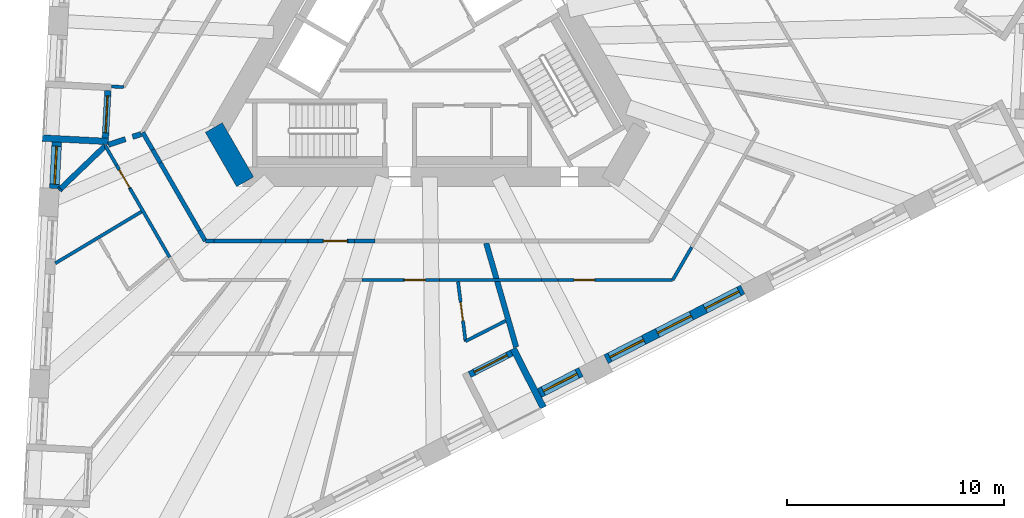
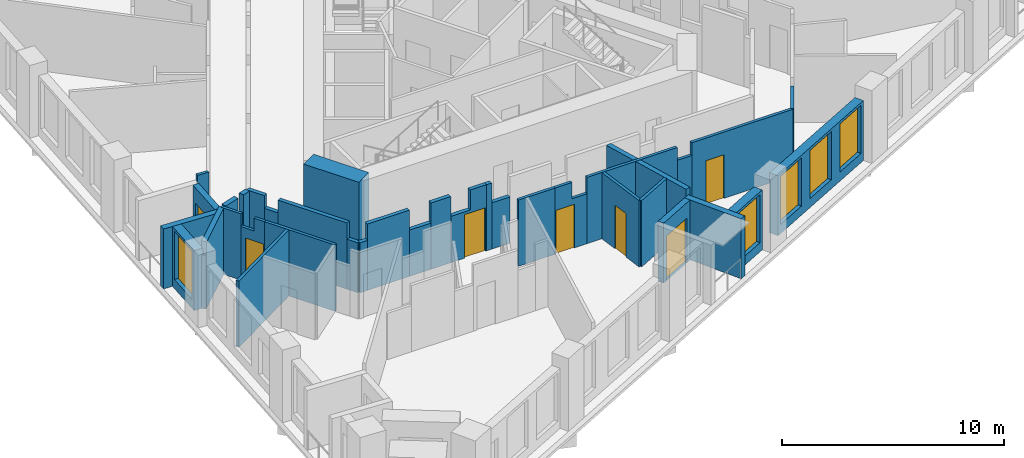
# One storey, part 3 of 13: 37 walls, 7 doors, 5 windows, 12 openings.
"""IFC4 building model written with IfcOpenShell, lengths in metres."""

from ifc_helpers import new_model, si_unit, direction, frame, frame_2d, origin, place, context, subcontext, project, spatial, polyline, rectangle, outline, extrude, material, layer, layer_set, type_object, element, fill, save


model = new_model("IFC4")

# Units and contexts
model_context = context("Model", 3, precision=1e-05, world=origin(), true_north=direction((0.0, 1.0)))
body_context = subcontext(model_context, "Body", "Model", "MODEL_VIEW")
ifc_project = project(units=[si_unit("LENGTHUNIT", "METRE"), si_unit("AREAUNIT", "SQUARE_METRE"), si_unit("VOLUMEUNIT", "CUBIC_METRE"), si_unit("PLANEANGLEUNIT", "RADIAN"), si_unit("MASSUNIT", "GRAM", prefix="KILO")], contexts=[model_context])

# Site, building, storey
site_placement = place(None, origin())
site = spatial("IfcSite", under=ifc_project, at=site_placement, CompositionType="ELEMENT")
building_placement = place(site_placement, origin())
building = spatial("IfcBuilding", under=site, at=building_placement, Name="Tramontana Tower", CompositionType="ELEMENT")
storey_placement = place(building_placement, frame((0.0, 0.0, 137.60009765625)))
storey = spatial("IfcBuildingStorey", under=building, at=storey_placement, Name="L31", CompositionType="ELEMENT", Elevation=137.60009765625)

# Walls
ifc_material_1 = material(Name="Concrete 70 MPa", Category="concrete")
ifc_layer_1 = layer(ifc_material_1, 0.89990234375)
ifc_layer_set_1 = layer_set([ifc_layer_1], Name="Core wall 900 70 MPa")
wall_type_1 = type_object("IfcWallType", Name="Core wall 900 70 MPa", PredefinedType="SHEAR", material=ifc_layer_set_1)
wall_1_placement = place(storey_placement, frame((-9.8583984375, -4.02490234375, 0.0), z_axis=(0.0, 0.0, 1.0), x_axis=(0.500059191753, -0.865991226713, 0.0)))
element("IfcWall", 1, at=wall_1_placement, inside=storey, type_object=wall_type_1, Name="Core wall C2 L31", PredefinedType="SHEAR", context=body_context, shape_type="SweptSolid", body=[
    extrude(rectangle(XDim=2.886962890625, YDim=0.89990234375, at=frame_2d((1.443359375, 0.0))), origin(), (0.0, 0.0, 1.0), 4.0),
])
ifc_material_2 = material(Name="Blockwork", Category="masonry")
ifc_layer_2 = layer(ifc_material_2, 0.199951171875)
ifc_layer_set_2 = layer_set([ifc_layer_2], Name="ENTRY WALL 200")
wall_type_2 = type_object("IfcWallType", Name="ENTRY WALL 200", PredefinedType="SOLIDWALL", material=ifc_layer_set_2)
wall_2_placement = place(storey_placement, frame((-2.441162109375, -9.25, 0.0), z_axis=(0.0, 0.0, 1.0), x_axis=(-1.0, 0.0, 0.0)))
element("IfcWall", 2, at=wall_2_placement, inside=storey, type_object=wall_type_2, Name="Wall v31-ew2-5", PredefinedType="SOLIDWALL", context=body_context, shape_type="SweptSolid", body=[
    extrude(rectangle(XDim=0.943603515625, YDim=0.199951171875, at=frame_2d((0.4716796875, 0.0))), origin(), (0.0, 0.0, 1.0), 2.5498046875),
])
wall_3_placement = place(storey_placement, frame((-3.384765625, -9.25, 0.0), z_axis=(0.0, 0.0, 1.0), x_axis=(-1.0, 0.0, 0.0)))
element("IfcWall", 3, at=wall_3_placement, inside=storey, type_object=wall_type_2, Name="Wall v31-ew2-6", PredefinedType="SOLIDWALL", context=body_context, shape_type="SweptSolid", body=[
    extrude(rectangle(XDim=0.280517578125, YDim=0.199951171875, at=frame_2d((0.14013671875, 0.0))), origin(), (0.0, 0.0, 1.0), 3.64990234375),
])

# Wall, opening, door
wall_4_placement = place(storey_placement, frame((-3.665283203125, -9.25, 0.0), z_axis=(0.0, 0.0, 1.0), x_axis=(-1.0, 0.0, 0.0)))
wall_4 = element("IfcWall", 4, at=wall_4_placement, inside=storey, type_object=wall_type_2, Name="Wall v31-ew2-7", PredefinedType="SOLIDWALL", context=body_context, shape_type="SweptSolid", body=[
    extrude(outline(polyline([(0.0, 0.0), (1.85693359375, 0.0), (1.85693359375, 2.5498046875), (0.833251953125, 2.5498046875), (0.833251953125, 3.64990234375), (0.0, 3.64990234375), (0.0, 0.0)])), frame((0.0, 0.10009765625, 0.0), z_axis=(0.0, -1.0, 0.0), x_axis=(1.0, 0.0, 0.0)), (0.0, 0.0, 1.0), 0.199951171875),
])
opening_1_placement = place(wall_4_placement, frame((0.050048828125, 0.0, 0.0)))
opening_1 = element("IfcOpeningElement", 5, at=opening_1_placement, cuts=wall_4, Name="Opening B3B-27", PredefinedType="OPENING", context=body_context, shape_type="SweptSolid", body=[
    extrude(rectangle(XDim=1.10009765625, YDim=2.39990234375, at=frame_2d((0.550048828125, 1.199951171875))), frame((0.0, 0.10986328125, 0.0), z_axis=(0.0, -1.0, 0.0), x_axis=(1.0, 0.0, 0.0)), (0.0, 0.0, 1.0), 0.219970703125),
])
ifc_material_3 = material(Name="Painted timber", Category="wood")
door_type_1 = type_object("IfcDoorType", Name="DOOR ENTRY 1100", OperationType="SINGLE_SWING_LEFT", PredefinedType="DOOR", material=ifc_material_3)
door_1_placement = place(opening_1_placement, origin())
door_1 = element("IfcDoor", 6, at=door_1_placement, inside=storey, type_object=door_type_1, Name="Door B3B-27", OperationType="SINGLE_SWING_LEFT", OverallHeight=2.39990234375, OverallWidth=1.10009765625, PredefinedType="DOOR", context=body_context, shape_type="SweptSolid", body=[
    extrude(rectangle(XDim=1.10009765625, YDim=2.39990234375, at=frame_2d((0.550048828125, 1.199951171875))), frame((0.0, 0.02490234375, 0.0), z_axis=(0.0, -1.0, 0.0), x_axis=(1.0, 0.0, 0.0)), (0.0, 0.0, 1.0), 0.050048828125),
])
fill(opening_1, door_1)

# Walls
wall_5_placement = place(storey_placement, frame((-5.522216796875, -9.25, 0.0), z_axis=(0.0, 0.0, 1.0), x_axis=(-1.0, 0.0, 0.0)))
element("IfcWall", 7, at=wall_5_placement, inside=storey, type_object=wall_type_2, Name="Wall v31-ew2-8", PredefinedType="SOLIDWALL", context=body_context, shape_type="SweptSolid", body=[
    extrude(rectangle(XDim=1.0224609375, YDim=0.199951171875, at=frame_2d((0.51123046875, 0.0))), origin(), (0.0, 0.0, 1.0), 3.64990234375),
])
wall_6_placement = place(storey_placement, frame((-6.544677734375, -9.25, 0.0), z_axis=(0.0, 0.0, 1.0), x_axis=(-1.0, 0.0, 0.0)))
element("IfcWall", 8, at=wall_6_placement, inside=storey, type_object=wall_type_2, Name="Wall v31-ew2-9", PredefinedType="SOLIDWALL", context=body_context, shape_type="SweptSolid", body=[
    extrude(rectangle(XDim=1.13525390625, YDim=0.199951171875, at=frame_2d((0.567626953125, 0.0))), origin(), (0.0, 0.0, 1.0), 2.5498046875),
])
wall_7_placement = place(storey_placement, frame((-7.679931640625, -9.25, 0.0), z_axis=(0.0, 0.0, 1.0), x_axis=(-1.0, 0.0, 0.0)))
element("IfcWall", 9, at=wall_7_placement, inside=storey, type_object=wall_type_2, Name="Wall v31-ew2-10", PredefinedType="SOLIDWALL", context=body_context, shape_type="SweptSolid", body=[
    extrude(rectangle(XDim=2.1787109375, YDim=0.199951171875, at=frame_2d((1.08935546875, 0.0))), origin(), (0.0, 0.0, 1.0), 3.64990234375),
])
wall_8_placement = place(storey_placement, frame((-9.858642578125, -9.25, 0.0), z_axis=(0.0, 0.0, 1.0), x_axis=(-1.0, 0.0, 0.0)))
element("IfcWall", 10, at=wall_8_placement, inside=storey, type_object=wall_type_2, Name="Wall v31-ew2-11", PredefinedType="SOLIDWALL", context=body_context, shape_type="SweptSolid", body=[
    extrude(rectangle(XDim=0.389404296875, YDim=0.199951171875, at=frame_2d((0.19482421875, 0.0))), origin(), (0.0, 0.0, 1.0), 2.75),
])
wall_9_placement = place(storey_placement, frame((-10.248046875, -9.25, 0.0), z_axis=(0.0, 0.0, 1.0), x_axis=(-0.499887958344, 0.866090081402, 0.0)))
element("IfcWall", 11, at=wall_9_placement, inside=storey, type_object=wall_type_2, Name="Wall v31-ew3-0", PredefinedType="SOLIDWALL", context=body_context, shape_type="SweptSolid", body=[
    extrude(rectangle(XDim=0.553466796875, YDim=0.199951171875, at=frame_2d((0.27685546875, 0.0))), origin(), (0.0, 0.0, 1.0), 2.75),
])
wall_10_placement = place(storey_placement, frame((-10.524658203125, -8.770751953125, 0.0), z_axis=(0.0, 0.0, 1.0), x_axis=(-0.500031425827, 0.866007259314, 0.0)))
element("IfcWall", 12, at=wall_10_placement, inside=storey, type_object=wall_type_2, Name="Wall v31-ew3-1", PredefinedType="SOLIDWALL", context=body_context, shape_type="SweptSolid", body=[
    extrude(rectangle(XDim=3.602294921875, YDim=0.199951171875, at=frame_2d((1.80126953125, 0.0))), origin(), (0.0, 0.0, 1.0), 3.64990234375),
])
wall_11_placement = place(storey_placement, frame((-12.325927734375, -5.651123046875, 0.0), z_axis=(0.0, 0.0, 1.0), x_axis=(-0.499752435038, 0.86616828831, 0.0)))
element("IfcWall", 13, at=wall_11_placement, inside=storey, type_object=wall_type_2, Name="Wall v31-ew3-2", PredefinedType="SOLIDWALL", context=body_context, shape_type="SweptSolid", body=[
    extrude(rectangle(XDim=0.704833984375, YDim=0.199951171875, at=frame_2d((0.3525390625, 0.0))), origin(), (0.0, 0.0, 1.0), 2.949951171875),
])
wall_12_placement = place(storey_placement, frame((-12.67822265625, -5.04052734375, 0.0), z_axis=(0.0, 0.0, 1.0), x_axis=(-0.500108273885, 0.865962882802, 0.0)))
element("IfcWall", 14, at=wall_12_placement, inside=storey, type_object=wall_type_2, Name="Wall v31-ew3-3", PredefinedType="SOLIDWALL", context=body_context, shape_type="SweptSolid", body=[
    extrude(rectangle(XDim=0.912841796875, YDim=0.199951171875, at=frame_2d((0.45654296875, 0.0))), origin(), (0.0, 0.0, 1.0), 3.64990234375),
])

# Wall, opening, window
ifc_material_4 = material(Name="Precast concrete 60 MPa", Category="concrete")
ifc_layer_3 = layer(ifc_material_4, 0.449951171875)
ifc_layer_set_3 = layer_set([ifc_layer_3], Name="Precast concrete 60 MPa, 450 mm")
wall_type_3 = type_object("IfcWallType", Name="EW1 Stone-faced precast wall 450", PredefinedType="SOLIDWALL", material=ifc_layer_set_3)
wall_13_placement = place(storey_placement, frame((-17.093994140625, -4.69287109375, 0.0), z_axis=(0.0, 0.0, 1.0), x_axis=(-0.052355281723, -0.998628521762, 0.0)))
wall_13 = element("IfcWall", 15, at=wall_13_placement, inside=storey, type_object=wall_type_3, Name="External wall L31 face 0 bay 4", PredefinedType="SOLIDWALL", context=body_context, shape_type="SweptSolid", body=[
    extrude(rectangle(XDim=2.140380859375, YDim=0.449951171875, at=frame_2d((1.0703125, 0.0))), origin(), (0.0, 0.0, 1.0), 3.2998046875),
])
opening_2_placement = place(wall_13_placement, frame((0.1953125, 0.0, 0.5)))
opening_2 = element("IfcOpeningElement", 16, at=opening_2_placement, cuts=wall_13, Name="Opening M2", PredefinedType="OPENING", context=body_context, shape_type="SweptSolid", body=[
    extrude(rectangle(XDim=1.75, YDim=2.64990234375, at=frame_2d((0.875, 1.324951171875))), frame((0.0, 0.23486328125, 0.0), z_axis=(0.0, -1.0, 0.0), x_axis=(1.0, 0.0, 0.0)), (0.0, 0.0, 1.0), 0.469970703125),
])
ifc_material_5 = material(Name="Aluminum frame, double glazing unit", Category="aluminium")
window_type = type_object("IfcWindowType", Name="M2 Window 1.75 x 2.65", PartitioningType="SINGLE_PANEL", PredefinedType="WINDOW", material=ifc_material_5)
window_1_placement = place(opening_2_placement, origin())
window_1 = element("IfcWindow", 17, at=window_1_placement, inside=storey, type_object=window_type, Name="Window M2 L31 face 0 module 12", OverallHeight=2.64990234375, OverallWidth=1.75, PartitioningType="SINGLE_PANEL", PredefinedType="WINDOW", context=body_context, shape_type="SweptSolid", body=[
    extrude(rectangle(XDim=1.75, YDim=2.64990234375, at=frame_2d((0.875, 1.324951171875))), frame((0.0, 0.030029296875, 0.0), z_axis=(0.0, -1.0, 0.0), x_axis=(1.0, 0.0, 0.0)), (0.0, 0.0, 1.0), 0.06005859375),
])
fill(opening_2, window_1)

wall_14_placement = place(storey_placement, frame((5.152099609375, -16.258056640625, 0.0), z_axis=(0.0, 0.0, 1.0), x_axis=(0.891025569559, 0.453953119156, 0.0)))
wall_14 = element("IfcWall", 18, at=wall_14_placement, inside=storey, type_object=wall_type_3, Name="External wall L31 face 1 bay 3", PredefinedType="SOLIDWALL", context=body_context, shape_type="SweptSolid", body=[
    extrude(rectangle(XDim=2.140380859375, YDim=0.449951171875, at=frame_2d((1.0703125, 0.0))), origin(), (0.0, 0.0, 1.0), 3.2998046875),
])
opening_3_placement = place(wall_14_placement, frame((0.1953125, 0.0, 0.5)))
opening_3 = element("IfcOpeningElement", 19, at=opening_3_placement, cuts=wall_14, Name="Opening M2", PredefinedType="OPENING", context=body_context, shape_type="SweptSolid", body=[
    extrude(rectangle(XDim=1.75, YDim=2.64990234375, at=frame_2d((0.875, 1.324951171875))), frame((0.0, 0.23486328125, 0.0), z_axis=(0.0, -1.0, 0.0), x_axis=(1.0, 0.0, 0.0)), (0.0, 0.0, 1.0), 0.469970703125),
])
window_2_placement = place(opening_3_placement, origin())
window_2 = element("IfcWindow", 20, at=window_2_placement, inside=storey, type_object=window_type, Name="Window M2 L31 face 1 module 9", OverallHeight=2.64990234375, OverallWidth=1.75, PartitioningType="SINGLE_PANEL", PredefinedType="WINDOW", context=body_context, shape_type="SweptSolid", body=[
    extrude(rectangle(XDim=1.75, YDim=2.64990234375, at=frame_2d((0.875, 1.324951171875))), frame((0.0, 0.030029296875, 0.0), z_axis=(0.0, -1.0, 0.0), x_axis=(1.0, 0.0, 0.0)), (0.0, 0.0, 1.0), 0.06005859375),
])
fill(opening_3, window_2)

# Wall, openings, windows
wall_15_placement = place(storey_placement, frame((8.217529296875, -14.696044921875, 0.0), z_axis=(0.0, 0.0, 1.0), x_axis=(0.891004189171, 0.45399508244, 0.0)))
wall_15 = element("IfcWall", 21, at=wall_15_placement, inside=storey, type_object=wall_type_3, Name="External wall L31 face 1 bay 4", PredefinedType="SOLIDWALL", context=body_context, shape_type="SweptSolid", body=[
    extrude(rectangle(XDim=7.071533203125, YDim=0.449951171875, at=frame_2d((3.53564453125, 0.0))), origin(), (0.0, 0.0, 1.0), 3.2998046875),
])
opening_4_placement = place(wall_15_placement, frame((0.1953125, 0.0, 0.5)))
opening_4 = element("IfcOpeningElement", 22, at=opening_4_placement, cuts=wall_15, Name="Opening M2", PredefinedType="OPENING", context=body_context, shape_type="SweptSolid", body=[
    extrude(rectangle(XDim=1.75, YDim=2.64990234375, at=frame_2d((0.875, 1.324951171875))), frame((0.0, 0.23486328125, 0.0), z_axis=(0.0, -1.0, 0.0), x_axis=(1.0, 0.0, 0.0)), (0.0, 0.0, 1.0), 0.469970703125),
])
opening_5_placement = place(wall_15_placement, frame((2.660888671875, 0.0, 0.5)))
opening_5 = element("IfcOpeningElement", 23, at=opening_5_placement, cuts=wall_15, Name="Opening M2", PredefinedType="OPENING", context=body_context, shape_type="SweptSolid", body=[
    extrude(rectangle(XDim=1.75, YDim=2.64990234375, at=frame_2d((0.875, 1.324951171875))), frame((0.0, 0.23486328125, 0.0), z_axis=(0.0, -1.0, 0.0), x_axis=(1.0, 0.0, 0.0)), (0.0, 0.0, 1.0), 0.469970703125),
])
opening_6_placement = place(wall_15_placement, frame((5.126220703125, 0.0, 0.5)))
opening_6 = element("IfcOpeningElement", 24, at=opening_6_placement, cuts=wall_15, Name="Opening M2", PredefinedType="OPENING", context=body_context, shape_type="SweptSolid", body=[
    extrude(rectangle(XDim=1.75, YDim=2.64990234375, at=frame_2d((0.875, 1.324951171875))), frame((0.0, 0.23486328125, 0.0), z_axis=(0.0, -1.0, 0.0), x_axis=(1.0, 0.0, 0.0)), (0.0, 0.0, 1.0), 0.469970703125),
])
window_3_placement = place(opening_4_placement, origin())
window_3 = element("IfcWindow", 25, at=window_3_placement, inside=storey, type_object=window_type, Name="Window M2 L31 face 1 module 10", OverallHeight=2.64990234375, OverallWidth=1.75, PartitioningType="SINGLE_PANEL", PredefinedType="WINDOW", context=body_context, shape_type="SweptSolid", body=[
    extrude(rectangle(XDim=1.75, YDim=2.64990234375, at=frame_2d((0.875, 1.324951171875))), frame((0.0, 0.030029296875, 0.0), z_axis=(0.0, -1.0, 0.0), x_axis=(1.0, 0.0, 0.0)), (0.0, 0.0, 1.0), 0.06005859375),
])
fill(opening_4, window_3)
window_4_placement = place(opening_5_placement, origin())
window_4 = element("IfcWindow", 26, at=window_4_placement, inside=storey, type_object=window_type, Name="Window M2 L31 face 1 module 11", OverallHeight=2.64990234375, OverallWidth=1.75, PartitioningType="SINGLE_PANEL", PredefinedType="WINDOW", context=body_context, shape_type="SweptSolid", body=[
    extrude(rectangle(XDim=1.75, YDim=2.64990234375, at=frame_2d((0.875, 1.324951171875))), frame((0.0, 0.030029296875, 0.0), z_axis=(0.0, -1.0, 0.0), x_axis=(1.0, 0.0, 0.0)), (0.0, 0.0, 1.0), 0.06005859375),
])
fill(opening_5, window_4)
window_5_placement = place(opening_6_placement, origin())
window_5 = element("IfcWindow", 27, at=window_5_placement, inside=storey, type_object=window_type, Name="Window M2 L31 face 1 module 12", OverallHeight=2.64990234375, OverallWidth=1.75, PartitioningType="SINGLE_PANEL", PredefinedType="WINDOW", context=body_context, shape_type="SweptSolid", body=[
    extrude(rectangle(XDim=1.75, YDim=2.64990234375, at=frame_2d((0.875, 1.324951171875))), frame((0.0, 0.030029296875, 0.0), z_axis=(0.0, -1.0, 0.0), x_axis=(1.0, 0.0, 0.0)), (0.0, 0.0, 1.0), 0.06005859375),
])
fill(opening_6, window_5)

# Wall, opening, door
ifc_material_6 = material(Name="Precast concrete 60 MPa", Category="concrete")
ifc_layer_4 = layer(ifc_material_6, 0.300048828125)
ifc_layer_set_4 = layer_set([ifc_layer_4], Name="LW1 Stone-faced loggia wall 300")
wall_type_4 = type_object("IfcWallType", Name="LW1 Stone-faced loggia wall 300", PredefinedType="SOLIDWALL", material=ifc_layer_set_4)
wall_16_placement = place(storey_placement, frame((-14.74169921875, -2.322265625, 0.0), z_axis=(0.0, 0.0, 1.0), x_axis=(-0.052383338583, -0.998627050424, 0.0)))
wall_16 = element("IfcWall", 28, at=wall_16_placement, inside=storey, type_object=wall_type_4, Name="Loggia wall L31 G3S0.10", PredefinedType="SOLIDWALL", context=body_context, shape_type="SweptSolid", body=[
    extrude(rectangle(XDim=2.1904296875, YDim=0.300048828125, at=frame_2d((1.09521484375, 0.0))), origin(), (0.0, 0.0, 1.0), 3.2998046875),
])
opening_7_placement = place(wall_16_placement, frame((0.245361328125, 0.0, 0.0)))
opening_7 = element("IfcOpeningElement", 29, at=opening_7_placement, cuts=wall_16, Name="Opening BD-3S0-10", PredefinedType="OPENING", context=body_context, shape_type="SweptSolid", body=[
    extrude(rectangle(XDim=1.699951171875, YDim=2.449951171875, at=frame_2d((0.85009765625, 1.22509765625))), frame((0.0, 0.159912109375, 0.0), z_axis=(0.0, -1.0, 0.0), x_axis=(1.0, 0.0, 0.0)), (0.0, 0.0, 1.0), 0.320068359375),
])
ifc_material_7 = material(Name="Aluminum frame, double glazing unit", Category="aluminium")
door_type_2 = type_object("IfcDoorType", Name="BD2 Sliding door 1.7 x 2.45", OperationType="SLIDING_TO_LEFT", PredefinedType="DOOR", material=ifc_material_7)
door_2_placement = place(opening_7_placement, origin())
door_2 = element("IfcDoor", 30, at=door_2_placement, inside=storey, type_object=door_type_2, Name="Loggia door L31 G3S0.10", OperationType="SLIDING_TO_LEFT", OverallHeight=2.449951171875, OverallWidth=1.699951171875, PredefinedType="DOOR", context=body_context, shape_type="SweptSolid", body=[
    extrude(rectangle(XDim=1.699951171875, YDim=2.449951171875, at=frame_2d((0.85009765625, 1.22509765625))), frame((0.0, 0.02490234375, 0.0), z_axis=(0.0, -1.0, 0.0), x_axis=(1.0, 0.0, 0.0)), (0.0, 0.0, 1.0), 0.050048828125),
])
fill(opening_7, door_2)

# Wall
wall_17_placement = place(storey_placement, frame((-17.76025390625, -4.5078125, 0.0), z_axis=(0.0, 0.0, 1.0), x_axis=(0.998633044326, -0.052268946613, 0.0)))
element("IfcWall", 31, at=wall_17_placement, inside=storey, type_object=wall_type_4, Name="Loggia return L31 G3S0.10b", PredefinedType="SOLIDWALL", context=body_context, shape_type="SweptSolid", body=[
    extrude(rectangle(XDim=3.050048828125, YDim=0.300048828125, at=frame_2d((1.52490234375, 0.0))), origin(), (0.0, 0.0, 1.0), 3.2998046875),
])

# Wall, opening, door
wall_18_placement = place(storey_placement, frame((1.9228515625, -15.40625, 0.0), z_axis=(0.0, 0.0, 1.0), x_axis=(0.891013126725, 0.4539775413, 0.0)))
wall_18 = element("IfcWall", 32, at=wall_18_placement, inside=storey, type_object=wall_type_4, Name="Loggia wall L31 G3S1.7", PredefinedType="SOLIDWALL", context=body_context, shape_type="SweptSolid", body=[
    extrude(rectangle(XDim=2.1904296875, YDim=0.300048828125, at=frame_2d((1.09521484375, 0.0))), origin(), (0.0, 0.0, 1.0), 3.2998046875),
])
opening_8_placement = place(wall_18_placement, frame((0.245361328125, 0.0, 0.0)))
opening_8 = element("IfcOpeningElement", 33, at=opening_8_placement, cuts=wall_18, Name="Opening BD-3S1-07", PredefinedType="OPENING", context=body_context, shape_type="SweptSolid", body=[
    extrude(rectangle(XDim=1.699951171875, YDim=2.449951171875, at=frame_2d((0.85009765625, 1.22509765625))), frame((0.0, 0.159912109375, 0.0), z_axis=(0.0, -1.0, 0.0), x_axis=(1.0, 0.0, 0.0)), (0.0, 0.0, 1.0), 0.320068359375),
])
door_3_placement = place(opening_8_placement, origin())
door_3 = element("IfcDoor", 34, at=door_3_placement, inside=storey, type_object=door_type_2, Name="Loggia door L31 G3S1.7", OperationType="SLIDING_TO_LEFT", OverallHeight=2.449951171875, OverallWidth=1.699951171875, PredefinedType="DOOR", context=body_context, shape_type="SweptSolid", body=[
    extrude(rectangle(XDim=1.699951171875, YDim=2.449951171875, at=frame_2d((0.85009765625, 1.22509765625))), frame((0.0, 0.02490234375, 0.0), z_axis=(0.0, -1.0, 0.0), x_axis=(1.0, 0.0, 0.0)), (0.0, 0.0, 1.0), 0.050048828125),
])
fill(opening_8, door_3)

# Walls
wall_19_placement = place(storey_placement, frame((5.32470703125, -16.927490234375, 0.0), z_axis=(0.0, 0.0, 1.0), x_axis=(-0.453956959009, 0.891023613249, 0.0)))
element("IfcWall", 35, at=wall_19_placement, inside=storey, type_object=wall_type_4, Name="Loggia return L31 G3S1.7b", PredefinedType="SOLIDWALL", context=body_context, shape_type="SweptSolid", body=[
    extrude(rectangle(XDim=3.0498046875, YDim=0.300048828125, at=frame_2d((1.52490234375, 0.0))), origin(), (0.0, 0.0, 1.0), 3.2998046875),
])
ifc_material_8 = material(Name="Gypsum board partition")
ifc_layer_5 = layer(ifc_material_8, 0.14990234375)
ifc_layer_set_5 = layer_set([ifc_layer_5], Name="PARTITION 150")
wall_type_5 = type_object("IfcWallType", Name="PARTITION 150", PredefinedType="PARTITIONING", material=ifc_layer_set_5)
wall_20_placement = place(storey_placement, frame((-17.161376953125, -10.278076171875, 0.0), z_axis=(0.0, 0.0, 1.0), x_axis=(0.857883773594, 0.513843780739, 0.0)))
element("IfcWall", 36, at=wall_20_placement, inside=storey, type_object=wall_type_5, Name="Wall v31-pw00", PredefinedType="PARTITIONING", context=body_context, shape_type="SweptSolid", body=[
    extrude(rectangle(XDim=4.626708984375, YDim=0.14990234375, at=frame_2d((2.3134765625, 0.0))), origin(), (0.0, 0.0, 1.0), 3.64990234375),
])
wall_21_placement = place(storey_placement, frame((-14.581298828125, -2.13037109375, 0.0), z_axis=(0.0, 0.0, 1.0), x_axis=(0.998630722964, -0.052313278929, 0.0)))
element("IfcWall", 37, at=wall_21_placement, inside=storey, type_object=wall_type_5, Name="Wall v31-pw03", PredefinedType="PARTITIONING", context=body_context, shape_type="SweptSolid", body=[
    extrude(rectangle(XDim=0.573974609375, YDim=0.14990234375, at=frame_2d((0.287109375, 0.0))), origin(), (0.0, 0.0, 1.0), 3.64990234375),
])
wall_22_placement = place(storey_placement, frame((-11.894287109375, -9.99853515625, 0.0), z_axis=(0.0, 0.0, 1.0), x_axis=(-0.499992475648, 0.866029747927, 0.0)))
element("IfcWall", 38, at=wall_22_placement, inside=storey, type_object=wall_type_5, Name="Wall v31-pw11-2", PredefinedType="PARTITIONING", context=body_context, shape_type="SweptSolid", body=[
    extrude(rectangle(XDim=3.65234375, YDim=0.14990234375, at=frame_2d((1.826171875, 0.0))), origin(), (0.0, 0.0, 1.0), 3.64990234375),
])

# Wall, opening, door
wall_23_placement = place(storey_placement, frame((-13.720458984375, -6.83544921875, 0.0), z_axis=(0.0, 0.0, 1.0), x_axis=(-0.499938866099, 0.866060696582, 0.0)))
wall_23 = element("IfcWall", 39, at=wall_23_placement, inside=storey, type_object=wall_type_5, Name="Wall v31-pw11-3", PredefinedType="PARTITIONING", context=body_context, shape_type="SweptSolid", body=[
    extrude(outline(polyline([(0.0, 0.0), (1.237060546875, 0.0), (1.237060546875, 2.949951171875), (0.55712890625, 2.949951171875), (0.55712890625, 3.64990234375), (0.0, 3.64990234375), (0.0, 0.0)])), frame((0.0, 0.074951171875, 0.0), z_axis=(0.0, -1.0, 0.0), x_axis=(1.0, 0.0, 0.0)), (0.0, 0.0, 1.0), 0.14990234375),
])
opening_9_placement = place(wall_23_placement, frame((0.050048828125, 0.0, 0.0)))
opening_9 = element("IfcOpeningElement", 40, at=opening_9_placement, cuts=wall_23, Name="Opening B3B-13", PredefinedType="OPENING", context=body_context, shape_type="SweptSolid", body=[
    extrude(rectangle(XDim=0.949951171875, YDim=2.39990234375, at=frame_2d((0.47509765625, 1.199951171875))), frame((0.0, 0.0849609375, 0.0), z_axis=(0.0, -1.0, 0.0), x_axis=(1.0, 0.0, 0.0)), (0.0, 0.0, 1.0), 0.169921875),
])
ifc_material_9 = material(Name="Painted timber", Category="wood")
door_type_3 = type_object("IfcDoorType", Name="DOOR ROOM 950", OperationType="SINGLE_SWING_LEFT", PredefinedType="DOOR", material=ifc_material_9)
door_4_placement = place(opening_9_placement, origin())
door_4 = element("IfcDoor", 41, at=door_4_placement, inside=storey, type_object=door_type_3, Name="Door B3B-13", OperationType="SINGLE_SWING_LEFT", OverallHeight=2.39990234375, OverallWidth=0.949951171875, PredefinedType="DOOR", context=body_context, shape_type="SweptSolid", body=[
    extrude(rectangle(XDim=0.949951171875, YDim=2.39990234375, at=frame_2d((0.47509765625, 1.199951171875))), frame((0.0, 0.02490234375, 0.0), z_axis=(0.0, -1.0, 0.0), x_axis=(1.0, 0.0, 0.0)), (0.0, 0.0, 1.0), 0.050048828125),
])
fill(opening_9, door_4)

# Wall
wall_24_placement = place(storey_placement, frame((-14.3388671875, -5.76416015625, 0.0), z_axis=(0.0, 0.0, 1.0), x_axis=(-0.500121408466, 0.865955297226, 0.0)))
element("IfcWall", 42, at=wall_24_placement, inside=storey, type_object=wall_type_5, Name="Wall v31-pw11-4", PredefinedType="PARTITIONING", context=body_context, shape_type="SweptSolid", body=[
    extrude(rectangle(XDim=1.041748046875, YDim=0.14990234375, at=frame_2d((0.52099609375, 0.0))), origin(), (0.0, 0.0, 1.0), 3.64990234375),
])

# Wall, opening, door
wall_25_placement = place(storey_placement, frame((1.39599609375, -11.125, 0.0), z_axis=(0.0, 0.0, 1.0), x_axis=(0.124544948095, -0.992213966796, 0.0)))
wall_25 = element("IfcWall", 43, at=wall_25_placement, inside=storey, type_object=wall_type_5, Name="Wall v31-pw26", PredefinedType="PARTITIONING", context=body_context, shape_type="SweptSolid", body=[
    extrude(rectangle(XDim=2.767822265625, YDim=0.14990234375, at=frame_2d((1.3837890625, 0.0))), origin(), (0.0, 0.0, 1.0), 3.64990234375),
])
opening_10_placement = place(wall_25_placement, frame((0.958984375, 0.0, 0.0)))
opening_10 = element("IfcOpeningElement", 44, at=opening_10_placement, cuts=wall_25, Name="Opening B3B-16", PredefinedType="OPENING", context=body_context, shape_type="SweptSolid", body=[
    extrude(rectangle(XDim=0.85009765625, YDim=2.39990234375, at=frame_2d((0.425048828125, 1.199951171875))), frame((0.0, 0.0849609375, 0.0), z_axis=(0.0, -1.0, 0.0), x_axis=(1.0, 0.0, 0.0)), (0.0, 0.0, 1.0), 0.169921875),
])
ifc_material_10 = material(Name="Painted timber", Category="wood")
door_type_4 = type_object("IfcDoorType", Name="DOOR BATH 850", OperationType="SINGLE_SWING_LEFT", PredefinedType="DOOR", material=ifc_material_10)
door_5_placement = place(opening_10_placement, origin())
door_5 = element("IfcDoor", 45, at=door_5_placement, inside=storey, type_object=door_type_4, Name="Door B3B-16", OperationType="SINGLE_SWING_RIGHT", OverallHeight=2.39990234375, OverallWidth=0.85009765625, PredefinedType="DOOR", context=body_context, shape_type="SweptSolid", body=[
    extrude(rectangle(XDim=0.85009765625, YDim=2.39990234375, at=frame_2d((0.425048828125, 1.199951171875))), frame((0.0, 0.02490234375, 0.0), z_axis=(0.0, -1.0, 0.0), x_axis=(1.0, 0.0, 0.0)), (0.0, 0.0, 1.0), 0.050048828125),
])
fill(opening_10, door_5)

# Wall
wall_26_placement = place(storey_placement, frame((3.59375, -12.92724609375, 0.0), z_axis=(0.0, 0.0, 1.0), x_axis=(-0.891020682523, -0.453962711372, 0.0)))
element("IfcWall", 46, at=wall_26_placement, inside=storey, type_object=wall_type_5, Name="Wall v31-pw28", PredefinedType="PARTITIONING", context=body_context, shape_type="SweptSolid", body=[
    extrude(rectangle(XDim=2.07958984375, YDim=0.14990234375, at=frame_2d((1.039794921875, 0.0))), origin(), (0.0, 0.0, 1.0), 3.64990234375),
])

# Wall, opening, door
wall_27_placement = place(storey_placement, frame((11.287109375, -11.050048828125, 0.0), z_axis=(0.0, 0.0, 1.0), x_axis=(-1.0, 0.0, 0.0)))
wall_27 = element("IfcWall", 47, at=wall_27_placement, inside=storey, type_object=wall_type_5, Name="Wall v31-pw35-0", PredefinedType="PARTITIONING", context=body_context, shape_type="SweptSolid", body=[
    extrude(rectangle(XDim=5.278076171875, YDim=0.14990234375, at=frame_2d((2.63916015625, 0.0))), origin(), (0.0, 0.0, 1.0), 3.64990234375),
])
opening_11_placement = place(wall_27_placement, frame((3.597412109375, 0.0, 0.0)))
opening_11 = element("IfcOpeningElement", 48, at=opening_11_placement, cuts=wall_27, Name="Opening B3B-20", PredefinedType="OPENING", context=body_context, shape_type="SweptSolid", body=[
    extrude(rectangle(XDim=0.949951171875, YDim=2.39990234375, at=frame_2d((0.47509765625, 1.199951171875))), frame((0.0, 0.0849609375, 0.0), z_axis=(0.0, -1.0, 0.0), x_axis=(1.0, 0.0, 0.0)), (0.0, 0.0, 1.0), 0.169921875),
])
door_6_placement = place(opening_11_placement, origin())
door_6 = element("IfcDoor", 49, at=door_6_placement, inside=storey, type_object=door_type_3, Name="Door B3B-20", OperationType="SINGLE_SWING_RIGHT", OverallHeight=2.39990234375, OverallWidth=0.949951171875, PredefinedType="DOOR", context=body_context, shape_type="SweptSolid", body=[
    extrude(rectangle(XDim=0.949951171875, YDim=2.39990234375, at=frame_2d((0.47509765625, 1.199951171875))), frame((0.0, 0.02490234375, 0.0), z_axis=(0.0, -1.0, 0.0), x_axis=(1.0, 0.0, 0.0)), (0.0, 0.0, 1.0), 0.050048828125),
])
fill(opening_11, door_6)

# Walls
wall_28_placement = place(storey_placement, frame((6.009033203125, -11.050048828125, 0.0), z_axis=(0.0, 0.0, 1.0), x_axis=(-1.0, 0.0, 0.0)))
element("IfcWall", 50, at=wall_28_placement, inside=storey, type_object=wall_type_5, Name="Wall v31-pw35-1", PredefinedType="PARTITIONING", context=body_context, shape_type="SweptSolid", body=[
    extrude(rectangle(XDim=0.757568359375, YDim=0.14990234375, at=frame_2d((0.37890625, 0.0))), origin(), (0.0, 0.0, 1.0), 2.949951171875),
])
wall_29_placement = place(storey_placement, frame((5.25146484375, -11.050048828125, 0.0), z_axis=(0.0, 0.0, 1.0), x_axis=(-1.0, 0.0, 0.0)))
element("IfcWall", 51, at=wall_29_placement, inside=storey, type_object=wall_type_5, Name="Wall v31-pw35-2", PredefinedType="PARTITIONING", context=body_context, shape_type="SweptSolid", body=[
    extrude(rectangle(XDim=4.7001953125, YDim=0.14990234375, at=frame_2d((2.35009765625, 0.0))), origin(), (0.0, 0.0, 1.0), 3.64990234375),
])

# Wall, opening, door
wall_30_placement = place(storey_placement, frame((0.55126953125, -11.050048828125, 0.0), z_axis=(0.0, 0.0, 1.0), x_axis=(-1.0, 0.0, 0.0)))
wall_30 = element("IfcWall", 52, at=wall_30_placement, inside=storey, type_object=wall_type_5, Name="Wall v31-pw35-3", PredefinedType="PARTITIONING", context=body_context, shape_type="SweptSolid", body=[
    extrude(outline(polyline([(0.0, 0.0), (1.663330078125, 0.0), (1.663330078125, 3.64990234375), (0.775146484375, 3.64990234375), (0.775146484375, 2.75), (0.0, 2.75), (0.0, 0.0)])), frame((0.0, 0.074951171875, 0.0), z_axis=(0.0, -1.0, 0.0), x_axis=(1.0, 0.0, 0.0)), (0.0, 0.0, 1.0), 0.14990234375),
])
opening_12_placement = place(wall_30_placement, frame((0.663330078125, 0.0, 0.0)))
opening_12 = element("IfcOpeningElement", 53, at=opening_12_placement, cuts=wall_30, Name="Opening B3B-14", PredefinedType="OPENING", context=body_context, shape_type="SweptSolid", body=[
    extrude(rectangle(XDim=0.949951171875, YDim=2.39990234375, at=frame_2d((0.47509765625, 1.199951171875))), frame((0.0, 0.0849609375, 0.0), z_axis=(0.0, -1.0, 0.0), x_axis=(1.0, 0.0, 0.0)), (0.0, 0.0, 1.0), 0.169921875),
])
door_7_placement = place(opening_12_placement, origin())
door_7 = element("IfcDoor", 54, at=door_7_placement, inside=storey, type_object=door_type_3, Name="Door B3B-14", OperationType="SINGLE_SWING_RIGHT", OverallHeight=2.39990234375, OverallWidth=0.949951171875, PredefinedType="DOOR", context=body_context, shape_type="SweptSolid", body=[
    extrude(rectangle(XDim=0.949951171875, YDim=2.39990234375, at=frame_2d((0.47509765625, 1.199951171875))), frame((0.0, 0.02490234375, 0.0), z_axis=(0.0, -1.0, 0.0), x_axis=(1.0, 0.0, 0.0)), (0.0, 0.0, 1.0), 0.050048828125),
])
fill(opening_12, door_7)

# Walls
wall_31_placement = place(storey_placement, frame((-1.112060546875, -11.050048828125, 0.0), z_axis=(0.0, 0.0, 1.0), x_axis=(-1.0, 0.0, 0.0)))
element("IfcWall", 55, at=wall_31_placement, inside=storey, type_object=wall_type_5, Name="Wall v31-pw35-4", PredefinedType="PARTITIONING", context=body_context, shape_type="SweptSolid", body=[
    extrude(rectangle(XDim=1.908935546875, YDim=0.14990234375, at=frame_2d((0.95458984375, 0.0))), origin(), (0.0, 0.0, 1.0), 3.64990234375),
])
wall_32_placement = place(storey_placement, frame((12.161376953125, -9.535888671875, 0.0), z_axis=(0.0, 0.0, 1.0), x_axis=(-0.500028655776, -0.866008858732, 0.0)))
element("IfcWall", 56, at=wall_32_placement, inside=storey, type_object=wall_type_5, Name="Wall v31-pw40-4", PredefinedType="PARTITIONING", context=body_context, shape_type="SweptSolid", body=[
    extrude(rectangle(XDim=1.74853515625, YDim=0.14990234375, at=frame_2d((0.874267578125, 0.0))), origin(), (0.0, 0.0, 1.0), 3.64990234375),
])
ifc_material_11 = material(Name="Blockwork", Category="masonry")
ifc_layer_6 = layer(ifc_material_11, 0.25)
ifc_layer_set_6 = layer_set([ifc_layer_6], Name="PARTY WALL 250")
wall_type_6 = type_object("IfcWallType", Name="PARTY WALL 250", PredefinedType="SOLIDWALL", material=ifc_layer_set_6)
wall_33_placement = place(storey_placement, frame((-14.859130859375, -4.86328125, 0.0), z_axis=(0.0, 0.0, 1.0), x_axis=(-0.721651952574, -0.692256064867, 0.0)))
element("IfcWall", 57, at=wall_33_placement, inside=storey, type_object=wall_type_6, Name="Wall v31-pw02-0", PredefinedType="SOLIDWALL", context=body_context, shape_type="SweptSolid", body=[
    extrude(rectangle(XDim=2.85693359375, YDim=0.25, at=frame_2d((1.428466796875, 0.0))), origin(), (0.0, 0.0, 1.0), 3.64990234375),
])
wall_34_placement = place(storey_placement, frame((-16.9208984375, -6.841064453125, 0.0), z_axis=(0.0, 0.0, 1.0), x_axis=(-0.722219435887, -0.691663998215, 0.0)))
element("IfcWall", 58, at=wall_34_placement, inside=storey, type_object=wall_type_6, Name="Wall v31-pw02-1", PredefinedType="SOLIDWALL", context=body_context, shape_type="SweptSolid", body=[
    extrude(rectangle(XDim=0.087890625, YDim=0.25, at=frame_2d((0.0439453125, 0.0))), origin(), (0.0, 0.0, 1.0), 2.949951171875),
])
wall_35_placement = place(storey_placement, frame((-13.930908203125, -4.55810546875, 0.0), z_axis=(0.0, 0.0, 1.0), x_axis=(-0.950370332594, -0.31112092653, 0.0)))
element("IfcWall", 59, at=wall_35_placement, inside=storey, type_object=wall_type_6, Name="Wall v31-pw05", PredefinedType="SOLIDWALL", context=body_context, shape_type="SweptSolid", body=[
    extrude(rectangle(XDim=0.83251953125, YDim=0.25, at=frame_2d((0.416259765625, 0.0))), origin(), (0.0, 0.0, 1.0), 3.64990234375),
])
wall_36_placement = place(storey_placement, frame((-13.208740234375, -4.322021484375, 0.0), z_axis=(0.0, 0.0, 1.0), x_axis=(-0.950498680469, -0.310728592869, 0.0)))
element("IfcWall", 60, at=wall_36_placement, inside=storey, type_object=wall_type_6, Name="Wall v31-pw07", PredefinedType="SOLIDWALL", context=body_context, shape_type="SweptSolid", body=[
    extrude(rectangle(XDim=0.413330078125, YDim=0.25, at=frame_2d((0.20654296875, 0.0))), origin(), (0.0, 0.0, 1.0), 3.64990234375),
])
wall_37_placement = place(storey_placement, frame((2.693359375, -9.35009765625, 0.0), z_axis=(0.0, 0.0, 1.0), x_axis=(0.276815561861, -0.960923069091, 0.0)))
element("IfcWall", 61, at=wall_37_placement, inside=storey, type_object=wall_type_6, Name="Wall v31-pw27", PredefinedType="SOLIDWALL", context=body_context, shape_type="SweptSolid", body=[
    extrude(rectangle(XDim=4.986572265625, YDim=0.25, at=frame_2d((2.4931640625, 0.0))), origin(), (0.0, 0.0, 1.0), 3.64990234375),
])

save(model, "model.ifc")
